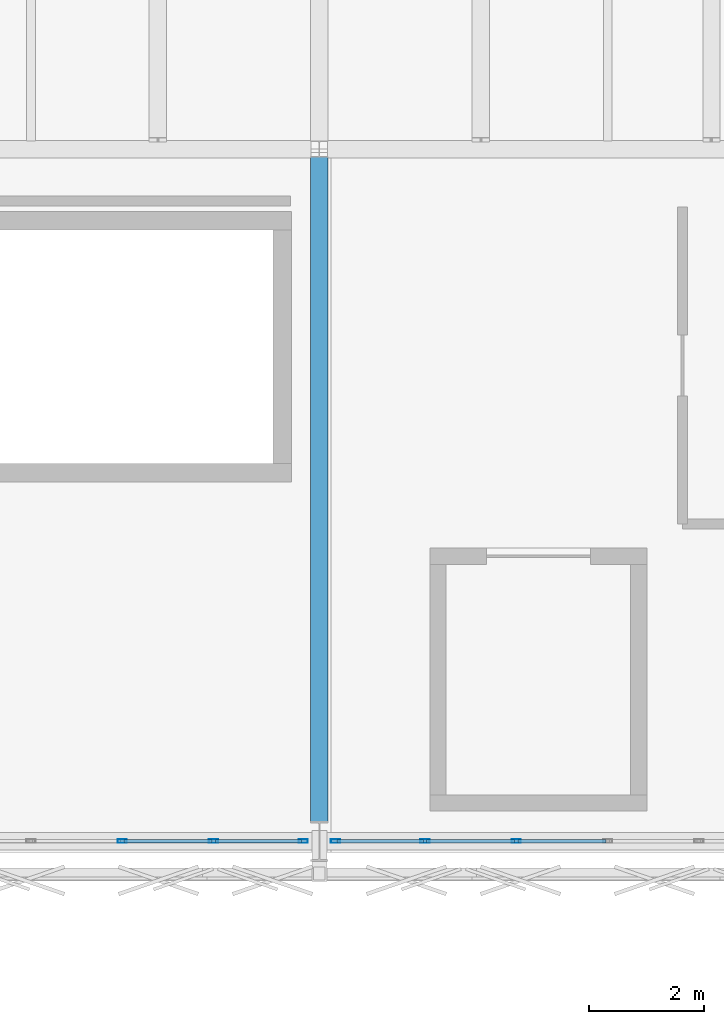
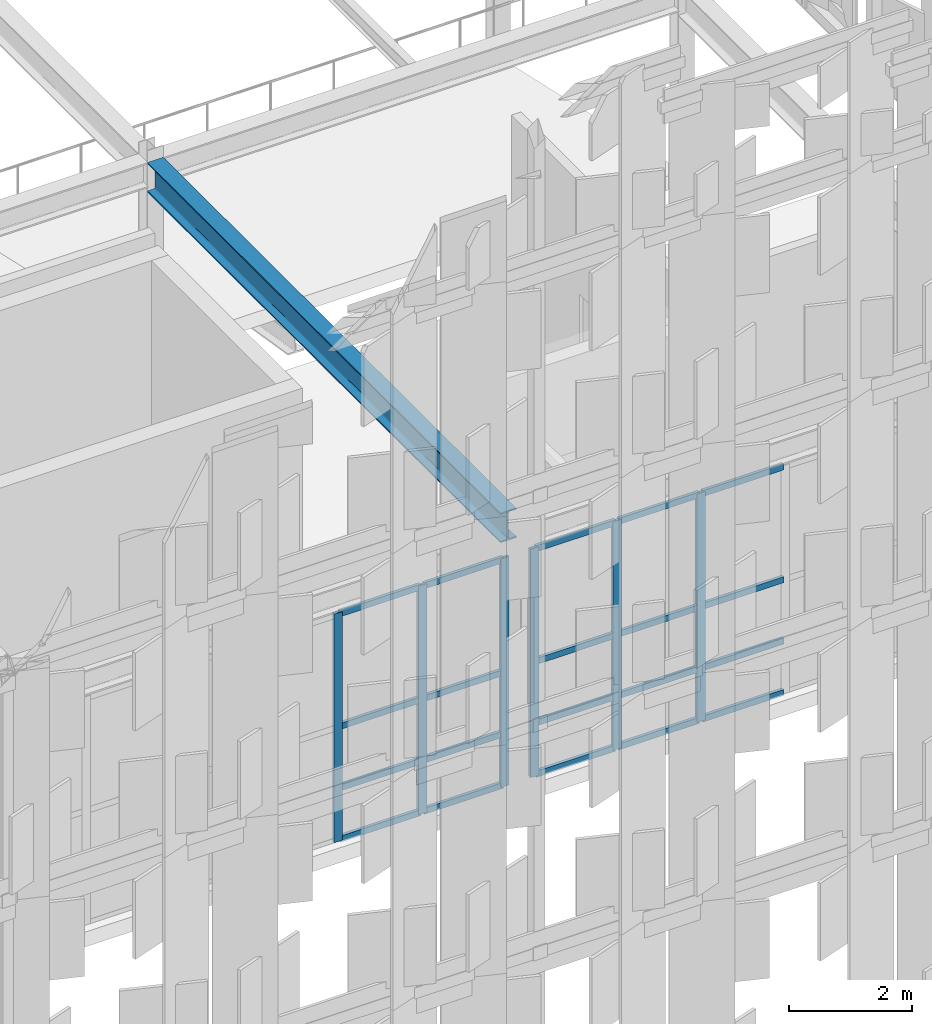
# One storey, part 160 of 239: 26 members, 1 beam, 2 elements without a shape of their own.
"""IFC4 building model written with IfcOpenShell, lengths in metres."""

from ifc_helpers import new_model, si_unit, direction, frame, origin, origin_2d, place, context, subcontext, project, spatial, hollow_rectangle, i_section, extrude, material, material_profile, profile_set, type_object, element, aggregate, save


model = new_model("IFC4")

# Units and contexts
model_context = context("Model", 3, precision=1e-05, world=origin(), true_north=direction((0.0, 1.0)))
body_context = subcontext(model_context, "Body", "Model", "MODEL_VIEW")
ifc_project = project(units=[si_unit("LENGTHUNIT", "METRE"), si_unit("AREAUNIT", "SQUARE_METRE"), si_unit("VOLUMEUNIT", "CUBIC_METRE"), si_unit("PLANEANGLEUNIT", "RADIAN"), si_unit("MASSUNIT", "GRAM", prefix="KILO")], contexts=[model_context])

# Site, building, storey
site_placement = place(None, origin())
site = spatial("IfcSite", under=ifc_project, at=site_placement, CompositionType="ELEMENT")
building_placement = place(site_placement, origin())
building = spatial("IfcBuilding", under=site, at=building_placement, Name="Kaldris Quays Convention Centre", CompositionType="ELEMENT")
storey_placement = place(building_placement, frame((0.0, 0.0, 11.39990234375)))
storey = spatial("IfcBuildingStorey", under=building, at=storey_placement, Name="L02", CompositionType="ELEMENT", Elevation=11.39990234375)

# Curtain wall, members
ifc_material_1 = material(Name="Anodized aluminium AW-6060 and triple glazing", Category="aluminium")
curtain_wall_type = type_object("IfcCurtainWallType", Name="UNITISED CURTAIN WALL CW01", PredefinedType="NOTDEFINED", material=ifc_material_1)
curtain_wall_1_placement = place(storey_placement, origin())
curtain_wall_1 = element("IfcCurtainWall", 1, at=curtain_wall_1_placement, inside=storey, type_object=curtain_wall_type, Name="L02 Unitised Curtain Wall CW01 30", PredefinedType="NOTDEFINED")
ifc_material_2 = material(Name="Anodized aluminium AW-6060", Category="aluminium")
ifc_material_profile_1 = material_profile(ifc_material_2, hollow_rectangle(XDim=0.06005859375, YDim=0.159912109375, WallThickness=0.00390625, at=origin_2d()), Name="RHS 160x60x4")
ifc_profile_set_1 = profile_set([ifc_material_profile_1], Name="Anodized aluminium AW-6060")
member_type_1 = type_object("IfcMemberType", Name="CURTAIN MULLION CWM1", PredefinedType="MULLION", material=ifc_profile_set_1)
member_1_placement = place(storey_placement, frame((180.583251953125, 56.0, 0.0), z_axis=(0.0, 0.0, 1.0), x_axis=(0.0, 1.0, 0.0)))
member_1 = element("IfcMember", 2, at=member_1_placement, type_object=member_type_1, Name="CW01 mullion 5", PredefinedType="MULLION", context=body_context, shape_type="SweptSolid", body=[
    extrude(hollow_rectangle(XDim=0.06005859375, YDim=0.159912109375, WallThickness=0.00390625, at=origin_2d()), origin(), (0.0, 0.0, 1.0), 4.548095703125),
])
member_2_placement = place(storey_placement, frame((182.166748046875, 56.0, 0.0), z_axis=(0.0, 0.0, 1.0), x_axis=(0.0, 1.0, 0.0)))
member_2 = element("IfcMember", 3, at=member_2_placement, type_object=member_type_1, Name="CW01 mullion 6", PredefinedType="MULLION", context=body_context, shape_type="SweptSolid", body=[
    extrude(hollow_rectangle(XDim=0.06005859375, YDim=0.159912109375, WallThickness=0.00390625, at=origin_2d()), origin(), (0.0, 0.0, 1.0), 4.548095703125),
])
member_3_placement = place(storey_placement, frame((183.719970703125, 56.0, 0.0), z_axis=(0.0, 0.0, 1.0), x_axis=(0.0, 1.0, 0.0)))
member_3 = element("IfcMember", 4, at=member_3_placement, type_object=member_type_1, Name="CW01 mullion 7", PredefinedType="MULLION", context=body_context, shape_type="SweptSolid", body=[
    extrude(hollow_rectangle(XDim=0.06005859375, YDim=0.159912109375, WallThickness=0.00390625, at=origin_2d()), origin(), (0.0, 0.0, 1.0), 4.548095703125),
])

curtain_wall_2_placement = place(storey_placement, origin())
curtain_wall_2 = element("IfcCurtainWall", 5, at=curtain_wall_2_placement, inside=storey, type_object=curtain_wall_type, Name="L02 Unitised Curtain Wall CW01 31", PredefinedType="NOTDEFINED")
member_4_placement = place(storey_placement, frame((184.280029296875, 56.0, 0.0), z_axis=(0.0, 0.0, 1.0), x_axis=(0.0, 1.0, 0.0)))
member_4 = element("IfcMember", 6, at=member_4_placement, type_object=member_type_1, Name="CW01 mullion 1", PredefinedType="MULLION", context=body_context, shape_type="SweptSolid", body=[
    extrude(hollow_rectangle(XDim=0.06005859375, YDim=0.159912109375, WallThickness=0.00390625, at=origin_2d()), origin(), (0.0, 0.0, 1.0), 4.548095703125),
])
member_5_placement = place(storey_placement, frame((185.833251953125, 56.0, 0.0), z_axis=(0.0, 0.0, 1.0), x_axis=(0.0, 1.0, 0.0)))
member_5 = element("IfcMember", 7, at=member_5_placement, type_object=member_type_1, Name="CW01 mullion 2", PredefinedType="MULLION", context=body_context, shape_type="SweptSolid", body=[
    extrude(hollow_rectangle(XDim=0.06005859375, YDim=0.159912109375, WallThickness=0.00390625, at=origin_2d()), origin(), (0.0, 0.0, 1.0), 4.548095703125),
])
member_6_placement = place(storey_placement, frame((187.416748046875, 56.0, 0.0), z_axis=(0.0, 0.0, 1.0), x_axis=(0.0, 1.0, 0.0)))
member_6 = element("IfcMember", 8, at=member_6_placement, type_object=member_type_1, Name="CW01 mullion 3", PredefinedType="MULLION", context=body_context, shape_type="SweptSolid", body=[
    extrude(hollow_rectangle(XDim=0.06005859375, YDim=0.159912109375, WallThickness=0.00390625, at=origin_2d()), origin(), (0.0, 0.0, 1.0), 4.548095703125),
])

# Member
ifc_material_profile_2 = material_profile(ifc_material_2, hollow_rectangle(XDim=0.06005859375, YDim=0.1201171875, WallThickness=0.00390625, at=origin_2d()), Name="RHS 120x60x4")
ifc_profile_set_2 = profile_set([ifc_material_profile_2], Name="Anodized aluminium AW-6060")
member_type_2 = type_object("IfcMemberType", Name="CURTAIN TRANSOM CWT1", PredefinedType="USERDEFINED", material=ifc_profile_set_2)
member_7_placement = place(storey_placement, frame((180.61328125, 56.0, 0.030029296875), z_axis=(1.0, 0.0, 0.0), x_axis=(0.0, 1.0, 0.0)))
member_7 = element("IfcMember", 9, at=member_7_placement, type_object=member_type_2, Name="CW01 transom 5.1", ObjectType="TRANSOM", PredefinedType="USERDEFINED", context=body_context, shape_type="SweptSolid", body=[
    extrude(hollow_rectangle(XDim=0.06005859375, YDim=0.1201171875, WallThickness=0.00390625, at=origin_2d()), origin(), (0.0, 0.0, 1.0), 1.5234375),
])

member_8_placement = place(storey_placement, frame((180.61328125, 56.0, 1.050048828125), z_axis=(1.0, 0.0, 0.0), x_axis=(0.0, 1.0, 0.0)))
member_8 = element("IfcMember", 10, at=member_8_placement, type_object=member_type_2, Name="CW01 transom 5.2", ObjectType="TRANSOM", PredefinedType="USERDEFINED", context=body_context, shape_type="SweptSolid", body=[
    extrude(hollow_rectangle(XDim=0.06005859375, YDim=0.1201171875, WallThickness=0.00390625, at=origin_2d()), origin(), (0.0, 0.0, 1.0), 1.5234375),
])

member_9_placement = place(storey_placement, frame((180.61328125, 56.0, 2.274169921875), z_axis=(1.0, 0.0, 0.0), x_axis=(0.0, 1.0, 0.0)))
member_9 = element("IfcMember", 11, at=member_9_placement, type_object=member_type_2, Name="CW01 transom 5.3", ObjectType="TRANSOM", PredefinedType="USERDEFINED", context=body_context, shape_type="SweptSolid", body=[
    extrude(hollow_rectangle(XDim=0.06005859375, YDim=0.1201171875, WallThickness=0.00390625, at=origin_2d()), origin(), (0.0, 0.0, 1.0), 1.5234375),
])

member_10_placement = place(storey_placement, frame((180.61328125, 56.0, 4.51806640625), z_axis=(1.0, 0.0, 0.0), x_axis=(0.0, 1.0, 0.0)))
member_10 = element("IfcMember", 12, at=member_10_placement, type_object=member_type_2, Name="CW01 transom 5.4", ObjectType="TRANSOM", PredefinedType="USERDEFINED", context=body_context, shape_type="SweptSolid", body=[
    extrude(hollow_rectangle(XDim=0.06005859375, YDim=0.1201171875, WallThickness=0.00390625, at=origin_2d()), origin(), (0.0, 0.0, 1.0), 1.5234375),
])

member_11_placement = place(storey_placement, frame((182.19677734375, 56.0, 0.030029296875), z_axis=(1.0, 0.0, 0.0), x_axis=(0.0, 1.0, 0.0)))
member_11 = element("IfcMember", 13, at=member_11_placement, type_object=member_type_2, Name="CW01 transom 6.1", ObjectType="TRANSOM", PredefinedType="USERDEFINED", context=body_context, shape_type="SweptSolid", body=[
    extrude(hollow_rectangle(XDim=0.06005859375, YDim=0.1201171875, WallThickness=0.00390625, at=origin_2d()), origin(), (0.0, 0.0, 1.0), 1.4931640625),
])

member_12_placement = place(storey_placement, frame((182.19677734375, 56.0, 1.050048828125), z_axis=(1.0, 0.0, 0.0), x_axis=(0.0, 1.0, 0.0)))
member_12 = element("IfcMember", 14, at=member_12_placement, type_object=member_type_2, Name="CW01 transom 6.2", ObjectType="TRANSOM", PredefinedType="USERDEFINED", context=body_context, shape_type="SweptSolid", body=[
    extrude(hollow_rectangle(XDim=0.06005859375, YDim=0.1201171875, WallThickness=0.00390625, at=origin_2d()), origin(), (0.0, 0.0, 1.0), 1.4931640625),
])

member_13_placement = place(storey_placement, frame((182.19677734375, 56.0, 2.274169921875), z_axis=(1.0, 0.0, 0.0), x_axis=(0.0, 1.0, 0.0)))
member_13 = element("IfcMember", 15, at=member_13_placement, type_object=member_type_2, Name="CW01 transom 6.3", ObjectType="TRANSOM", PredefinedType="USERDEFINED", context=body_context, shape_type="SweptSolid", body=[
    extrude(hollow_rectangle(XDim=0.06005859375, YDim=0.1201171875, WallThickness=0.00390625, at=origin_2d()), origin(), (0.0, 0.0, 1.0), 1.4931640625),
])

member_14_placement = place(storey_placement, frame((182.19677734375, 56.0, 4.51806640625), z_axis=(1.0, 0.0, 0.0), x_axis=(0.0, 1.0, 0.0)))
member_14 = element("IfcMember", 16, at=member_14_placement, type_object=member_type_2, Name="CW01 transom 6.4", ObjectType="TRANSOM", PredefinedType="USERDEFINED", context=body_context, shape_type="SweptSolid", body=[
    extrude(hollow_rectangle(XDim=0.06005859375, YDim=0.1201171875, WallThickness=0.00390625, at=origin_2d()), origin(), (0.0, 0.0, 1.0), 1.4931640625),
])

aggregate(curtain_wall_1, [member_1, member_2, member_3, member_7, member_8, member_9, member_10, member_11, member_12, member_13, member_14])

member_15_placement = place(storey_placement, frame((184.31005859375, 56.0, 0.030029296875), z_axis=(1.0, 0.0, 0.0), x_axis=(0.0, 1.0, 0.0)))
member_15 = element("IfcMember", 17, at=member_15_placement, type_object=member_type_2, Name="CW01 transom 1.1", ObjectType="TRANSOM", PredefinedType="USERDEFINED", context=body_context, shape_type="SweptSolid", body=[
    extrude(hollow_rectangle(XDim=0.06005859375, YDim=0.1201171875, WallThickness=0.00390625, at=origin_2d()), origin(), (0.0, 0.0, 1.0), 1.4931640625),
])

member_16_placement = place(storey_placement, frame((184.31005859375, 56.0, 1.050048828125), z_axis=(1.0, 0.0, 0.0), x_axis=(0.0, 1.0, 0.0)))
member_16 = element("IfcMember", 18, at=member_16_placement, type_object=member_type_2, Name="CW01 transom 1.2", ObjectType="TRANSOM", PredefinedType="USERDEFINED", context=body_context, shape_type="SweptSolid", body=[
    extrude(hollow_rectangle(XDim=0.06005859375, YDim=0.1201171875, WallThickness=0.00390625, at=origin_2d()), origin(), (0.0, 0.0, 1.0), 1.4931640625),
])

member_17_placement = place(storey_placement, frame((184.31005859375, 56.0, 2.274169921875), z_axis=(1.0, 0.0, 0.0), x_axis=(0.0, 1.0, 0.0)))
member_17 = element("IfcMember", 19, at=member_17_placement, type_object=member_type_2, Name="CW01 transom 1.3", ObjectType="TRANSOM", PredefinedType="USERDEFINED", context=body_context, shape_type="SweptSolid", body=[
    extrude(hollow_rectangle(XDim=0.06005859375, YDim=0.1201171875, WallThickness=0.00390625, at=origin_2d()), origin(), (0.0, 0.0, 1.0), 1.4931640625),
])

member_18_placement = place(storey_placement, frame((184.31005859375, 56.0, 4.51806640625), z_axis=(1.0, 0.0, 0.0), x_axis=(0.0, 1.0, 0.0)))
member_18 = element("IfcMember", 20, at=member_18_placement, type_object=member_type_2, Name="CW01 transom 1.4", ObjectType="TRANSOM", PredefinedType="USERDEFINED", context=body_context, shape_type="SweptSolid", body=[
    extrude(hollow_rectangle(XDim=0.06005859375, YDim=0.1201171875, WallThickness=0.00390625, at=origin_2d()), origin(), (0.0, 0.0, 1.0), 1.4931640625),
])

member_19_placement = place(storey_placement, frame((185.86328125, 56.0, 0.030029296875), z_axis=(1.0, 0.0, 0.0), x_axis=(0.0, 1.0, 0.0)))
member_19 = element("IfcMember", 21, at=member_19_placement, type_object=member_type_2, Name="CW01 transom 2.1", ObjectType="TRANSOM", PredefinedType="USERDEFINED", context=body_context, shape_type="SweptSolid", body=[
    extrude(hollow_rectangle(XDim=0.06005859375, YDim=0.1201171875, WallThickness=0.00390625, at=origin_2d()), origin(), (0.0, 0.0, 1.0), 1.5234375),
])

member_20_placement = place(storey_placement, frame((185.86328125, 56.0, 1.050048828125), z_axis=(1.0, 0.0, 0.0), x_axis=(0.0, 1.0, 0.0)))
member_20 = element("IfcMember", 22, at=member_20_placement, type_object=member_type_2, Name="CW01 transom 2.2", ObjectType="TRANSOM", PredefinedType="USERDEFINED", context=body_context, shape_type="SweptSolid", body=[
    extrude(hollow_rectangle(XDim=0.06005859375, YDim=0.1201171875, WallThickness=0.00390625, at=origin_2d()), origin(), (0.0, 0.0, 1.0), 1.5234375),
])

member_21_placement = place(storey_placement, frame((185.86328125, 56.0, 2.274169921875), z_axis=(1.0, 0.0, 0.0), x_axis=(0.0, 1.0, 0.0)))
member_21 = element("IfcMember", 23, at=member_21_placement, type_object=member_type_2, Name="CW01 transom 2.3", ObjectType="TRANSOM", PredefinedType="USERDEFINED", context=body_context, shape_type="SweptSolid", body=[
    extrude(hollow_rectangle(XDim=0.06005859375, YDim=0.1201171875, WallThickness=0.00390625, at=origin_2d()), origin(), (0.0, 0.0, 1.0), 1.5234375),
])

member_22_placement = place(storey_placement, frame((185.86328125, 56.0, 4.51806640625), z_axis=(1.0, 0.0, 0.0), x_axis=(0.0, 1.0, 0.0)))
member_22 = element("IfcMember", 24, at=member_22_placement, type_object=member_type_2, Name="CW01 transom 2.4", ObjectType="TRANSOM", PredefinedType="USERDEFINED", context=body_context, shape_type="SweptSolid", body=[
    extrude(hollow_rectangle(XDim=0.06005859375, YDim=0.1201171875, WallThickness=0.00390625, at=origin_2d()), origin(), (0.0, 0.0, 1.0), 1.5234375),
])

member_23_placement = place(storey_placement, frame((187.44677734375, 56.0, 0.030029296875), z_axis=(1.0, 0.0, 0.0), x_axis=(0.0, 1.0, 0.0)))
member_23 = element("IfcMember", 25, at=member_23_placement, type_object=member_type_2, Name="CW01 transom 3.1", ObjectType="TRANSOM", PredefinedType="USERDEFINED", context=body_context, shape_type="SweptSolid", body=[
    extrude(hollow_rectangle(XDim=0.06005859375, YDim=0.1201171875, WallThickness=0.00390625, at=origin_2d()), origin(), (0.0, 0.0, 1.0), 1.523193359375),
])

member_24_placement = place(storey_placement, frame((187.44677734375, 56.0, 1.050048828125), z_axis=(1.0, 0.0, 0.0), x_axis=(0.0, 1.0, 0.0)))
member_24 = element("IfcMember", 26, at=member_24_placement, type_object=member_type_2, Name="CW01 transom 3.2", ObjectType="TRANSOM", PredefinedType="USERDEFINED", context=body_context, shape_type="SweptSolid", body=[
    extrude(hollow_rectangle(XDim=0.06005859375, YDim=0.1201171875, WallThickness=0.00390625, at=origin_2d()), origin(), (0.0, 0.0, 1.0), 1.523193359375),
])

member_25_placement = place(storey_placement, frame((187.44677734375, 56.0, 2.274169921875), z_axis=(1.0, 0.0, 0.0), x_axis=(0.0, 1.0, 0.0)))
member_25 = element("IfcMember", 27, at=member_25_placement, type_object=member_type_2, Name="CW01 transom 3.3", ObjectType="TRANSOM", PredefinedType="USERDEFINED", context=body_context, shape_type="SweptSolid", body=[
    extrude(hollow_rectangle(XDim=0.06005859375, YDim=0.1201171875, WallThickness=0.00390625, at=origin_2d()), origin(), (0.0, 0.0, 1.0), 1.523193359375),
])

member_26_placement = place(storey_placement, frame((187.44677734375, 56.0, 4.51806640625), z_axis=(1.0, 0.0, 0.0), x_axis=(0.0, 1.0, 0.0)))
member_26 = element("IfcMember", 28, at=member_26_placement, type_object=member_type_2, Name="CW01 transom 3.4", ObjectType="TRANSOM", PredefinedType="USERDEFINED", context=body_context, shape_type="SweptSolid", body=[
    extrude(hollow_rectangle(XDim=0.06005859375, YDim=0.1201171875, WallThickness=0.00390625, at=origin_2d()), origin(), (0.0, 0.0, 1.0), 1.523193359375),
])

aggregate(curtain_wall_2, [member_4, member_5, member_6, member_15, member_16, member_17, member_18, member_19, member_20, member_21, member_22, member_23, member_24, member_25, member_26])

# Beam
ifc_material_3 = material(Name="Steel S355J2", Category="steel")
ifc_material_profile_3 = material_profile(ifc_material_3, i_section(OverallWidth=0.300048828125, OverallDepth=0.590087890625, WebThickness=0.012939453125, FlangeThickness=0.02490234375, FilletRadius=0.027099609375, at=origin_2d()), Name="HEA 600")
ifc_profile_set_3 = profile_set([ifc_material_profile_3], Name="Steel S355J2")
beam_type = type_object("IfcBeamType", Name="STRUCTURAL BEAM BM08", PredefinedType="BEAM", material=ifc_profile_set_3)
beam_placement = place(storey_placement, frame((184.0, 56.343994140625, 4.8681640625), z_axis=(0.0, 1.0, 0.0), x_axis=(-1.0, 0.0, 0.0)))
element("IfcBeam", 29, at=beam_placement, inside=storey, type_object=beam_type, Name="L02 Girder BM08 18", PredefinedType="BEAM", context=body_context, shape_type="SweptSolid", body=[
    extrude(i_section(OverallWidth=0.300048828125, OverallDepth=0.590087890625, WebThickness=0.012939453125, FlangeThickness=0.02490234375, FilletRadius=0.027099609375, at=origin_2d()), origin(), (0.0, 0.0, 1.0), 11.51708984375),
])

save(model, "model.ifc")
